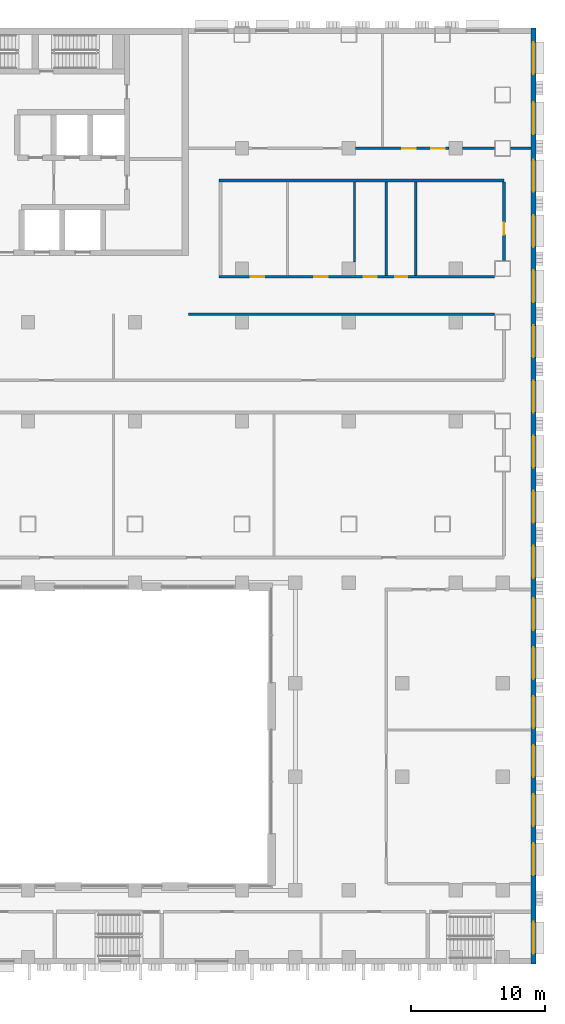
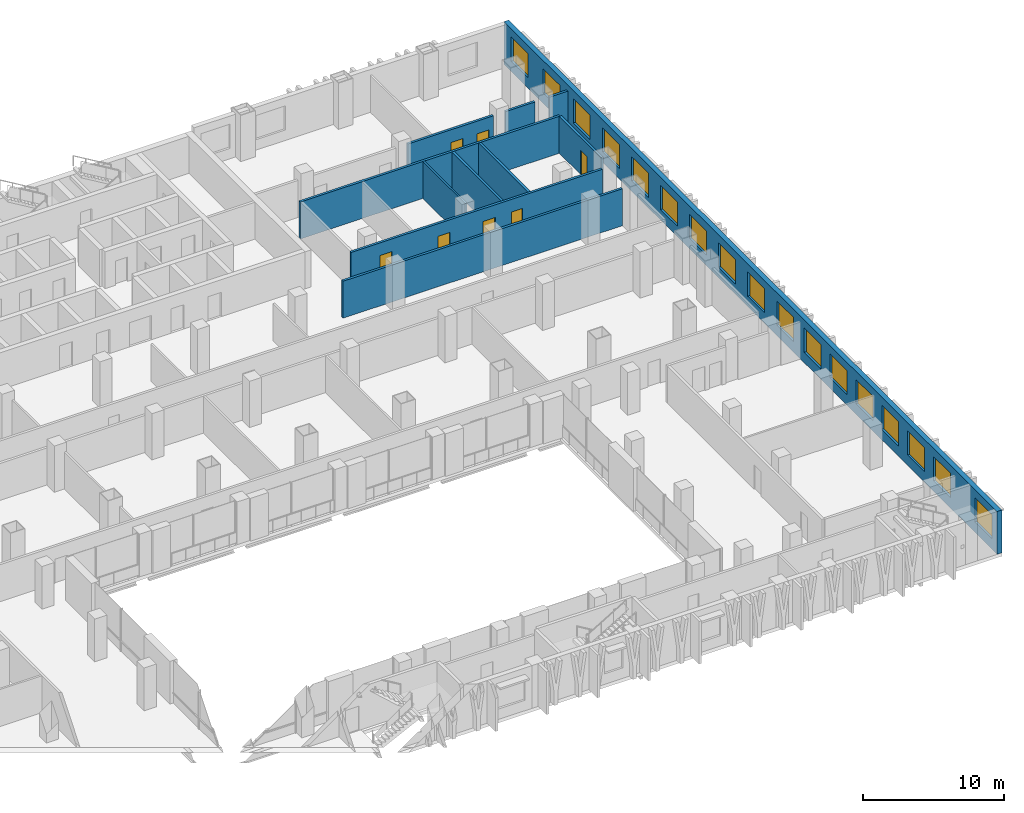
# One storey, part 14 of 24: 17 windows, 11 walls, 7 doors, 24 openings.
"""IFC4 building model written with IfcOpenShell, lengths in metres."""

from ifc_helpers import new_model, si_unit, direction, frame, frame_2d, origin, place, context, subcontext, project, spatial, rectangle, extrude, material, layer, layer_set, type_object, element, fill, save


model = new_model("IFC4")

# Units and contexts
model_context = context("Model", 3, precision=1e-05, world=origin(), true_north=direction((0.0, 1.0)))
body_context = subcontext(model_context, "Body", "Model", "MODEL_VIEW")
ifc_project = project(units=[si_unit("LENGTHUNIT", "METRE"), si_unit("AREAUNIT", "SQUARE_METRE"), si_unit("VOLUMEUNIT", "CUBIC_METRE"), si_unit("PLANEANGLEUNIT", "RADIAN"), si_unit("MASSUNIT", "GRAM", prefix="KILO")], contexts=[model_context])

# Site, building, storey
site_placement = place(None, origin())
site = spatial("IfcSite", under=ifc_project, at=site_placement, CompositionType="ELEMENT")
building_placement = place(site_placement, origin())
building = spatial("IfcBuilding", under=site, at=building_placement, Name="Vidyagriha Tower", CompositionType="ELEMENT")
storey_placement = place(building_placement, frame((0.0, 0.0, 22.0)))
storey = spatial("IfcBuildingStorey", under=building, at=storey_placement, Name="L05", CompositionType="ELEMENT", Elevation=22.0)

# Wall, openings, windows
ifc_material_1 = material(Name="Concrete C40/50 board-marked with brick facing", Category="concrete")
ifc_layer_1 = layer(ifc_material_1, 0.39990234375)
ifc_layer_set_1 = layer_set([ifc_layer_1], Name="Concrete C40/50 board-marked with brick facing")
wall_type_1 = type_object("IfcWallType", Name="Brick-faced board-marked concrete podium wall 400", PredefinedType="STANDARD", material=ifc_layer_set_1)
wall_1_placement = place(storey_placement, frame((39.800048828125, -50.0, 0.0), z_axis=(0.0, 0.0, 1.0), x_axis=(0.0, 1.0, 0.0)))
wall_1 = element("IfcWall", 1, at=wall_1_placement, inside=storey, type_object=wall_type_1, Name="Podium wall L05 R01", PredefinedType="STANDARD", context=body_context, shape_type="SweptSolid", body=[
    extrude(rectangle(XDim=70.0, YDim=0.39990234375, at=frame_2d((35.0, 0.0))), origin(), (0.0, 0.0, 1.0), 3.699951171875),
])
opening_1_placement = place(wall_1_placement, frame((0.75, 0.0, 0.89990234375)))
opening_1 = element("IfcOpeningElement", 2, at=opening_1_placement, cuts=wall_1, Name="Opening WN3", PredefinedType="OPENING", context=body_context, shape_type="SweptSolid", body=[
    extrude(rectangle(XDim=2.39990234375, YDim=2.10009765625, at=frame_2d((1.199951171875, 1.050048828125))), frame((0.0, 0.2099609375, 0.0), z_axis=(0.0, -1.0, 0.0), x_axis=(1.0, 0.0, 0.0)), (0.0, 0.0, 1.0), 0.419921875),
])
opening_2_placement = place(wall_1_placement, frame((6.63330078125, 0.0, 0.89990234375)))
opening_2 = element("IfcOpeningElement", 3, at=opening_2_placement, cuts=wall_1, Name="Opening WN3", PredefinedType="OPENING", context=body_context, shape_type="SweptSolid", body=[
    extrude(rectangle(XDim=2.39990234375, YDim=2.10009765625, at=frame_2d((1.199951171875, 1.050048828125))), frame((0.0, 0.2099609375, 0.0), z_axis=(0.0, -1.0, 0.0), x_axis=(1.0, 0.0, 0.0)), (0.0, 0.0, 1.0), 0.419921875),
])
opening_3_placement = place(wall_1_placement, frame((10.300048828125, 0.0, 0.89990234375)))
opening_3 = element("IfcOpeningElement", 4, at=opening_3_placement, cuts=wall_1, Name="Opening WN3", PredefinedType="OPENING", context=body_context, shape_type="SweptSolid", body=[
    extrude(rectangle(XDim=2.39990234375, YDim=2.10009765625, at=frame_2d((1.199951171875, 1.050048828125))), frame((0.0, 0.2099609375, 0.0), z_axis=(0.0, -1.0, 0.0), x_axis=(1.0, 0.0, 0.0)), (0.0, 0.0, 1.0), 0.419921875),
])
opening_4_placement = place(wall_1_placement, frame((13.966796875, 0.0, 0.89990234375)))
opening_4 = element("IfcOpeningElement", 5, at=opening_4_placement, cuts=wall_1, Name="Opening WN3", PredefinedType="OPENING", context=body_context, shape_type="SweptSolid", body=[
    extrude(rectangle(XDim=2.39990234375, YDim=2.10009765625, at=frame_2d((1.199951171875, 1.050048828125))), frame((0.0, 0.2099609375, 0.0), z_axis=(0.0, -1.0, 0.0), x_axis=(1.0, 0.0, 0.0)), (0.0, 0.0, 1.0), 0.419921875),
])
opening_5_placement = place(wall_1_placement, frame((17.63330078125, 0.0, 0.89990234375)))
opening_5 = element("IfcOpeningElement", 6, at=opening_5_placement, cuts=wall_1, Name="Opening WN3", PredefinedType="OPENING", context=body_context, shape_type="SweptSolid", body=[
    extrude(rectangle(XDim=2.39990234375, YDim=2.10009765625, at=frame_2d((1.199951171875, 1.050048828125))), frame((0.0, 0.2099609375, 0.0), z_axis=(0.0, -1.0, 0.0), x_axis=(1.0, 0.0, 0.0)), (0.0, 0.0, 1.0), 0.419921875),
])
opening_6_placement = place(wall_1_placement, frame((21.300048828125, 0.0, 0.89990234375)))
opening_6 = element("IfcOpeningElement", 7, at=opening_6_placement, cuts=wall_1, Name="Opening WN3", PredefinedType="OPENING", context=body_context, shape_type="SweptSolid", body=[
    extrude(rectangle(XDim=2.39990234375, YDim=2.10009765625, at=frame_2d((1.199951171875, 1.050048828125))), frame((0.0, 0.2099609375, 0.0), z_axis=(0.0, -1.0, 0.0), x_axis=(1.0, 0.0, 0.0)), (0.0, 0.0, 1.0), 0.419921875),
])
opening_7_placement = place(wall_1_placement, frame((24.966796875, 0.0, 0.89990234375)))
opening_7 = element("IfcOpeningElement", 8, at=opening_7_placement, cuts=wall_1, Name="Opening WN3", PredefinedType="OPENING", context=body_context, shape_type="SweptSolid", body=[
    extrude(rectangle(XDim=2.39990234375, YDim=2.10009765625, at=frame_2d((1.199951171875, 1.050048828125))), frame((0.0, 0.2099609375, 0.0), z_axis=(0.0, -1.0, 0.0), x_axis=(1.0, 0.0, 0.0)), (0.0, 0.0, 1.0), 0.419921875),
])
opening_8_placement = place(wall_1_placement, frame((28.862548828125, 0.0, 0.89990234375)))
opening_8 = element("IfcOpeningElement", 9, at=opening_8_placement, cuts=wall_1, Name="Opening WN3", PredefinedType="OPENING", context=body_context, shape_type="SweptSolid", body=[
    extrude(rectangle(XDim=2.39990234375, YDim=2.10009765625, at=frame_2d((1.199951171875, 1.050048828125))), frame((0.0, 0.2099609375, 0.0), z_axis=(0.0, -1.0, 0.0), x_axis=(1.0, 0.0, 0.0)), (0.0, 0.0, 1.0), 0.419921875),
])
opening_9_placement = place(wall_1_placement, frame((32.987548828125, 0.0, 0.89990234375)))
opening_9 = element("IfcOpeningElement", 10, at=opening_9_placement, cuts=wall_1, Name="Opening WN3", PredefinedType="OPENING", context=body_context, shape_type="SweptSolid", body=[
    extrude(rectangle(XDim=2.39990234375, YDim=2.10009765625, at=frame_2d((1.199951171875, 1.050048828125))), frame((0.0, 0.2099609375, 0.0), z_axis=(0.0, -1.0, 0.0), x_axis=(1.0, 0.0, 0.0)), (0.0, 0.0, 1.0), 0.419921875),
])
opening_10_placement = place(wall_1_placement, frame((37.112548828125, 0.0, 0.89990234375)))
opening_10 = element("IfcOpeningElement", 11, at=opening_10_placement, cuts=wall_1, Name="Opening WN3", PredefinedType="OPENING", context=body_context, shape_type="SweptSolid", body=[
    extrude(rectangle(XDim=2.39990234375, YDim=2.10009765625, at=frame_2d((1.199951171875, 1.050048828125))), frame((0.0, 0.2099609375, 0.0), z_axis=(0.0, -1.0, 0.0), x_axis=(1.0, 0.0, 0.0)), (0.0, 0.0, 1.0), 0.419921875),
])
opening_11_placement = place(wall_1_placement, frame((41.237548828125, 0.0, 0.89990234375)))
opening_11 = element("IfcOpeningElement", 12, at=opening_11_placement, cuts=wall_1, Name="Opening WN3", PredefinedType="OPENING", context=body_context, shape_type="SweptSolid", body=[
    extrude(rectangle(XDim=2.39990234375, YDim=2.10009765625, at=frame_2d((1.199951171875, 1.050048828125))), frame((0.0, 0.2099609375, 0.0), z_axis=(0.0, -1.0, 0.0), x_axis=(1.0, 0.0, 0.0)), (0.0, 0.0, 1.0), 0.419921875),
])
opening_12_placement = place(wall_1_placement, frame((45.362548828125, 0.0, 0.89990234375)))
opening_12 = element("IfcOpeningElement", 13, at=opening_12_placement, cuts=wall_1, Name="Opening WN3", PredefinedType="OPENING", context=body_context, shape_type="SweptSolid", body=[
    extrude(rectangle(XDim=2.39990234375, YDim=2.10009765625, at=frame_2d((1.199951171875, 1.050048828125))), frame((0.0, 0.2099609375, 0.0), z_axis=(0.0, -1.0, 0.0), x_axis=(1.0, 0.0, 0.0)), (0.0, 0.0, 1.0), 0.419921875),
])
opening_13_placement = place(wall_1_placement, frame((49.487548828125, 0.0, 0.89990234375)))
opening_13 = element("IfcOpeningElement", 14, at=opening_13_placement, cuts=wall_1, Name="Opening WN3", PredefinedType="OPENING", context=body_context, shape_type="SweptSolid", body=[
    extrude(rectangle(XDim=2.39990234375, YDim=2.10009765625, at=frame_2d((1.199951171875, 1.050048828125))), frame((0.0, 0.2099609375, 0.0), z_axis=(0.0, -1.0, 0.0), x_axis=(1.0, 0.0, 0.0)), (0.0, 0.0, 1.0), 0.419921875),
])
opening_14_placement = place(wall_1_placement, frame((53.612548828125, 0.0, 0.89990234375)))
opening_14 = element("IfcOpeningElement", 15, at=opening_14_placement, cuts=wall_1, Name="Opening WN3", PredefinedType="OPENING", context=body_context, shape_type="SweptSolid", body=[
    extrude(rectangle(XDim=2.39990234375, YDim=2.10009765625, at=frame_2d((1.199951171875, 1.050048828125))), frame((0.0, 0.2099609375, 0.0), z_axis=(0.0, -1.0, 0.0), x_axis=(1.0, 0.0, 0.0)), (0.0, 0.0, 1.0), 0.419921875),
])
opening_15_placement = place(wall_1_placement, frame((57.737548828125, 0.0, 0.89990234375)))
opening_15 = element("IfcOpeningElement", 16, at=opening_15_placement, cuts=wall_1, Name="Opening WN3", PredefinedType="OPENING", context=body_context, shape_type="SweptSolid", body=[
    extrude(rectangle(XDim=2.39990234375, YDim=2.10009765625, at=frame_2d((1.199951171875, 1.050048828125))), frame((0.0, 0.2099609375, 0.0), z_axis=(0.0, -1.0, 0.0), x_axis=(1.0, 0.0, 0.0)), (0.0, 0.0, 1.0), 0.419921875),
])
opening_16_placement = place(wall_1_placement, frame((62.050048828125, 0.0, 0.89990234375)))
opening_16 = element("IfcOpeningElement", 17, at=opening_16_placement, cuts=wall_1, Name="Opening WN3", PredefinedType="OPENING", context=body_context, shape_type="SweptSolid", body=[
    extrude(rectangle(XDim=2.39990234375, YDim=2.10009765625, at=frame_2d((1.199951171875, 1.050048828125))), frame((0.0, 0.2099609375, 0.0), z_axis=(0.0, -1.0, 0.0), x_axis=(1.0, 0.0, 0.0)), (0.0, 0.0, 1.0), 0.419921875),
])
opening_17_placement = place(wall_1_placement, frame((66.550048828125, 0.0, 0.89990234375)))
opening_17 = element("IfcOpeningElement", 18, at=opening_17_placement, cuts=wall_1, Name="Opening WN3", PredefinedType="OPENING", context=body_context, shape_type="SweptSolid", body=[
    extrude(rectangle(XDim=2.39990234375, YDim=2.10009765625, at=frame_2d((1.199951171875, 1.050048828125))), frame((0.0, 0.2099609375, 0.0), z_axis=(0.0, -1.0, 0.0), x_axis=(1.0, 0.0, 0.0)), (0.0, 0.0, 1.0), 0.419921875),
])
ifc_material_2 = material(Name="Aluminium and glass window", Category="aluminium")
window_type = type_object("IfcWindowType", Name="Podium school window 2400x2100", PartitioningType="NOTDEFINED", PredefinedType="WINDOW", material=ifc_material_2)
window_1_placement = place(opening_1_placement, origin())
window_1 = element("IfcWindow", 19, at=window_1_placement, inside=storey, type_object=window_type, Name="School window L05 R01.1", OverallHeight=2.10009765625, OverallWidth=2.39990234375, PartitioningType="SINGLE_PANEL", PredefinedType="WINDOW", context=body_context, shape_type="SweptSolid", body=[
    extrude(rectangle(XDim=2.39990234375, YDim=2.10009765625, at=frame_2d((1.199951171875, 1.050048828125))), frame((0.0, 0.030029296875, 0.0), z_axis=(0.0, -1.0, 0.0), x_axis=(1.0, 0.0, 0.0)), (0.0, 0.0, 1.0), 0.06005859375),
])
fill(opening_1, window_1)
window_2_placement = place(opening_2_placement, origin())
window_2 = element("IfcWindow", 20, at=window_2_placement, inside=storey, type_object=window_type, Name="School window L05 R01.3", OverallHeight=2.10009765625, OverallWidth=2.39990234375, PartitioningType="SINGLE_PANEL", PredefinedType="WINDOW", context=body_context, shape_type="SweptSolid", body=[
    extrude(rectangle(XDim=2.39990234375, YDim=2.10009765625, at=frame_2d((1.199951171875, 1.050048828125))), frame((0.0, 0.030029296875, 0.0), z_axis=(0.0, -1.0, 0.0), x_axis=(1.0, 0.0, 0.0)), (0.0, 0.0, 1.0), 0.06005859375),
])
fill(opening_2, window_2)
window_3_placement = place(opening_3_placement, origin())
window_3 = element("IfcWindow", 21, at=window_3_placement, inside=storey, type_object=window_type, Name="School window L05 R01.4", OverallHeight=2.10009765625, OverallWidth=2.39990234375, PartitioningType="SINGLE_PANEL", PredefinedType="WINDOW", context=body_context, shape_type="SweptSolid", body=[
    extrude(rectangle(XDim=2.39990234375, YDim=2.10009765625, at=frame_2d((1.199951171875, 1.050048828125))), frame((0.0, 0.030029296875, 0.0), z_axis=(0.0, -1.0, 0.0), x_axis=(1.0, 0.0, 0.0)), (0.0, 0.0, 1.0), 0.06005859375),
])
fill(opening_3, window_3)
window_4_placement = place(opening_4_placement, origin())
window_4 = element("IfcWindow", 22, at=window_4_placement, inside=storey, type_object=window_type, Name="School window L05 R01.5", OverallHeight=2.10009765625, OverallWidth=2.39990234375, PartitioningType="SINGLE_PANEL", PredefinedType="WINDOW", context=body_context, shape_type="SweptSolid", body=[
    extrude(rectangle(XDim=2.39990234375, YDim=2.10009765625, at=frame_2d((1.199951171875, 1.050048828125))), frame((0.0, 0.030029296875, 0.0), z_axis=(0.0, -1.0, 0.0), x_axis=(1.0, 0.0, 0.0)), (0.0, 0.0, 1.0), 0.06005859375),
])
fill(opening_4, window_4)
window_5_placement = place(opening_5_placement, origin())
window_5 = element("IfcWindow", 23, at=window_5_placement, inside=storey, type_object=window_type, Name="School window L05 R01.6", OverallHeight=2.10009765625, OverallWidth=2.39990234375, PartitioningType="SINGLE_PANEL", PredefinedType="WINDOW", context=body_context, shape_type="SweptSolid", body=[
    extrude(rectangle(XDim=2.39990234375, YDim=2.10009765625, at=frame_2d((1.199951171875, 1.050048828125))), frame((0.0, 0.030029296875, 0.0), z_axis=(0.0, -1.0, 0.0), x_axis=(1.0, 0.0, 0.0)), (0.0, 0.0, 1.0), 0.06005859375),
])
fill(opening_5, window_5)
window_6_placement = place(opening_6_placement, origin())
window_6 = element("IfcWindow", 24, at=window_6_placement, inside=storey, type_object=window_type, Name="School window L05 R01.7", OverallHeight=2.10009765625, OverallWidth=2.39990234375, PartitioningType="SINGLE_PANEL", PredefinedType="WINDOW", context=body_context, shape_type="SweptSolid", body=[
    extrude(rectangle(XDim=2.39990234375, YDim=2.10009765625, at=frame_2d((1.199951171875, 1.050048828125))), frame((0.0, 0.030029296875, 0.0), z_axis=(0.0, -1.0, 0.0), x_axis=(1.0, 0.0, 0.0)), (0.0, 0.0, 1.0), 0.06005859375),
])
fill(opening_6, window_6)
window_7_placement = place(opening_7_placement, origin())
window_7 = element("IfcWindow", 25, at=window_7_placement, inside=storey, type_object=window_type, Name="School window L05 R01.8", OverallHeight=2.10009765625, OverallWidth=2.39990234375, PartitioningType="SINGLE_PANEL", PredefinedType="WINDOW", context=body_context, shape_type="SweptSolid", body=[
    extrude(rectangle(XDim=2.39990234375, YDim=2.10009765625, at=frame_2d((1.199951171875, 1.050048828125))), frame((0.0, 0.030029296875, 0.0), z_axis=(0.0, -1.0, 0.0), x_axis=(1.0, 0.0, 0.0)), (0.0, 0.0, 1.0), 0.06005859375),
])
fill(opening_7, window_7)
window_8_placement = place(opening_8_placement, origin())
window_8 = element("IfcWindow", 26, at=window_8_placement, inside=storey, type_object=window_type, Name="School window L05 R01.9", OverallHeight=2.10009765625, OverallWidth=2.39990234375, PartitioningType="SINGLE_PANEL", PredefinedType="WINDOW", context=body_context, shape_type="SweptSolid", body=[
    extrude(rectangle(XDim=2.39990234375, YDim=2.10009765625, at=frame_2d((1.199951171875, 1.050048828125))), frame((0.0, 0.030029296875, 0.0), z_axis=(0.0, -1.0, 0.0), x_axis=(1.0, 0.0, 0.0)), (0.0, 0.0, 1.0), 0.06005859375),
])
fill(opening_8, window_8)
window_9_placement = place(opening_9_placement, origin())
window_9 = element("IfcWindow", 27, at=window_9_placement, inside=storey, type_object=window_type, Name="School window L05 R01.10", OverallHeight=2.10009765625, OverallWidth=2.39990234375, PartitioningType="SINGLE_PANEL", PredefinedType="WINDOW", context=body_context, shape_type="SweptSolid", body=[
    extrude(rectangle(XDim=2.39990234375, YDim=2.10009765625, at=frame_2d((1.199951171875, 1.050048828125))), frame((0.0, 0.030029296875, 0.0), z_axis=(0.0, -1.0, 0.0), x_axis=(1.0, 0.0, 0.0)), (0.0, 0.0, 1.0), 0.06005859375),
])
fill(opening_9, window_9)
window_10_placement = place(opening_10_placement, origin())
window_10 = element("IfcWindow", 28, at=window_10_placement, inside=storey, type_object=window_type, Name="School window L05 R01.11", OverallHeight=2.10009765625, OverallWidth=2.39990234375, PartitioningType="SINGLE_PANEL", PredefinedType="WINDOW", context=body_context, shape_type="SweptSolid", body=[
    extrude(rectangle(XDim=2.39990234375, YDim=2.10009765625, at=frame_2d((1.199951171875, 1.050048828125))), frame((0.0, 0.030029296875, 0.0), z_axis=(0.0, -1.0, 0.0), x_axis=(1.0, 0.0, 0.0)), (0.0, 0.0, 1.0), 0.06005859375),
])
fill(opening_10, window_10)
window_11_placement = place(opening_11_placement, origin())
window_11 = element("IfcWindow", 29, at=window_11_placement, inside=storey, type_object=window_type, Name="School window L05 R01.12", OverallHeight=2.10009765625, OverallWidth=2.39990234375, PartitioningType="SINGLE_PANEL", PredefinedType="WINDOW", context=body_context, shape_type="SweptSolid", body=[
    extrude(rectangle(XDim=2.39990234375, YDim=2.10009765625, at=frame_2d((1.199951171875, 1.050048828125))), frame((0.0, 0.030029296875, 0.0), z_axis=(0.0, -1.0, 0.0), x_axis=(1.0, 0.0, 0.0)), (0.0, 0.0, 1.0), 0.06005859375),
])
fill(opening_11, window_11)
window_12_placement = place(opening_12_placement, origin())
window_12 = element("IfcWindow", 30, at=window_12_placement, inside=storey, type_object=window_type, Name="School window L05 R01.13", OverallHeight=2.10009765625, OverallWidth=2.39990234375, PartitioningType="SINGLE_PANEL", PredefinedType="WINDOW", context=body_context, shape_type="SweptSolid", body=[
    extrude(rectangle(XDim=2.39990234375, YDim=2.10009765625, at=frame_2d((1.199951171875, 1.050048828125))), frame((0.0, 0.030029296875, 0.0), z_axis=(0.0, -1.0, 0.0), x_axis=(1.0, 0.0, 0.0)), (0.0, 0.0, 1.0), 0.06005859375),
])
fill(opening_12, window_12)
window_13_placement = place(opening_13_placement, origin())
window_13 = element("IfcWindow", 31, at=window_13_placement, inside=storey, type_object=window_type, Name="School window L05 R01.14", OverallHeight=2.10009765625, OverallWidth=2.39990234375, PartitioningType="SINGLE_PANEL", PredefinedType="WINDOW", context=body_context, shape_type="SweptSolid", body=[
    extrude(rectangle(XDim=2.39990234375, YDim=2.10009765625, at=frame_2d((1.199951171875, 1.050048828125))), frame((0.0, 0.030029296875, 0.0), z_axis=(0.0, -1.0, 0.0), x_axis=(1.0, 0.0, 0.0)), (0.0, 0.0, 1.0), 0.06005859375),
])
fill(opening_13, window_13)
window_14_placement = place(opening_14_placement, origin())
window_14 = element("IfcWindow", 32, at=window_14_placement, inside=storey, type_object=window_type, Name="School window L05 R01.15", OverallHeight=2.10009765625, OverallWidth=2.39990234375, PartitioningType="SINGLE_PANEL", PredefinedType="WINDOW", context=body_context, shape_type="SweptSolid", body=[
    extrude(rectangle(XDim=2.39990234375, YDim=2.10009765625, at=frame_2d((1.199951171875, 1.050048828125))), frame((0.0, 0.030029296875, 0.0), z_axis=(0.0, -1.0, 0.0), x_axis=(1.0, 0.0, 0.0)), (0.0, 0.0, 1.0), 0.06005859375),
])
fill(opening_14, window_14)
window_15_placement = place(opening_15_placement, origin())
window_15 = element("IfcWindow", 33, at=window_15_placement, inside=storey, type_object=window_type, Name="School window L05 R01.16", OverallHeight=2.10009765625, OverallWidth=2.39990234375, PartitioningType="SINGLE_PANEL", PredefinedType="WINDOW", context=body_context, shape_type="SweptSolid", body=[
    extrude(rectangle(XDim=2.39990234375, YDim=2.10009765625, at=frame_2d((1.199951171875, 1.050048828125))), frame((0.0, 0.030029296875, 0.0), z_axis=(0.0, -1.0, 0.0), x_axis=(1.0, 0.0, 0.0)), (0.0, 0.0, 1.0), 0.06005859375),
])
fill(opening_15, window_15)
window_16_placement = place(opening_16_placement, origin())
window_16 = element("IfcWindow", 34, at=window_16_placement, inside=storey, type_object=window_type, Name="School window L05 R01.17", OverallHeight=2.10009765625, OverallWidth=2.39990234375, PartitioningType="SINGLE_PANEL", PredefinedType="WINDOW", context=body_context, shape_type="SweptSolid", body=[
    extrude(rectangle(XDim=2.39990234375, YDim=2.10009765625, at=frame_2d((1.199951171875, 1.050048828125))), frame((0.0, 0.030029296875, 0.0), z_axis=(0.0, -1.0, 0.0), x_axis=(1.0, 0.0, 0.0)), (0.0, 0.0, 1.0), 0.06005859375),
])
fill(opening_16, window_16)
window_17_placement = place(opening_17_placement, origin())
window_17 = element("IfcWindow", 35, at=window_17_placement, inside=storey, type_object=window_type, Name="School window L05 R01.18", OverallHeight=2.10009765625, OverallWidth=2.39990234375, PartitioningType="SINGLE_PANEL", PredefinedType="WINDOW", context=body_context, shape_type="SweptSolid", body=[
    extrude(rectangle(XDim=2.39990234375, YDim=2.10009765625, at=frame_2d((1.199951171875, 1.050048828125))), frame((0.0, 0.030029296875, 0.0), z_axis=(0.0, -1.0, 0.0), x_axis=(1.0, 0.0, 0.0)), (0.0, 0.0, 1.0), 0.06005859375),
])
fill(opening_17, window_17)

# Wall
ifc_material_3 = material(Name="Fire rated gypsum board on light gauge framing")
ifc_layer_2 = layer(ifc_material_3, 0.199951171875)
ifc_layer_set_2 = layer_set([ifc_layer_2], Name="Fire rated gypsum board on light gauge framing")
wall_type_2 = type_object("IfcWallType", Name="Fire Rated Corridor Wall 200", PredefinedType="PARTITIONING", material=ifc_layer_set_2)
wall_2_placement = place(storey_placement, frame((14.0, -1.39990234375, 0.0)))
element("IfcWall", 36, at=wall_2_placement, inside=storey, type_object=wall_type_2, Name="L05 Fire Rated Corridor Wall 200 025", PredefinedType="PARTITIONING", context=body_context, shape_type="SweptSolid", body=[
    extrude(rectangle(XDim=22.89990234375, YDim=0.199951171875, at=frame_2d((11.449951171875, 0.0))), origin(), (0.0, 0.0, 1.0), 3.199951171875),
])

# Wall, openings, doors
wall_3_placement = place(storey_placement, frame((16.300048828125, 1.39990234375, 0.0)))
wall_3 = element("IfcWall", 37, at=wall_3_placement, inside=storey, type_object=wall_type_2, Name="L05 Fire Rated Corridor Wall 200 027", PredefinedType="PARTITIONING", context=body_context, shape_type="SweptSolid", body=[
    extrude(rectangle(XDim=20.599853515625, YDim=0.199951171875, at=frame_2d((10.2998046875, 0.0))), origin(), (0.0, 0.0, 1.0), 3.199951171875),
])
opening_18_placement = place(wall_3_placement, frame((2.349853515625, 0.0, 0.0)))
opening_18 = element("IfcOpeningElement", 38, at=opening_18_placement, cuts=wall_3, Name="Opening D05-44", PredefinedType="OPENING", context=body_context, shape_type="SweptSolid", body=[
    extrude(rectangle(XDim=1.0, YDim=2.10009765625, at=frame_2d((0.5, 1.050048828125))), frame((0.0, 0.10986328125, 0.0), z_axis=(0.0, -1.0, 0.0), x_axis=(1.0, 0.0, 0.0)), (0.0, 0.0, 1.0), 0.219970703125),
])
opening_19_placement = place(wall_3_placement, frame((7.099853515625, 0.0, 0.0)))
opening_19 = element("IfcOpeningElement", 39, at=opening_19_placement, cuts=wall_3, Name="Opening D05-45", PredefinedType="OPENING", context=body_context, shape_type="SweptSolid", body=[
    extrude(rectangle(XDim=1.0, YDim=2.10009765625, at=frame_2d((0.5, 1.050048828125))), frame((0.0, 0.10986328125, 0.0), z_axis=(0.0, -1.0, 0.0), x_axis=(1.0, 0.0, 0.0)), (0.0, 0.0, 1.0), 0.219970703125),
])
opening_20_placement = place(wall_3_placement, frame((10.7998046875, 0.0, 0.0)))
opening_20 = element("IfcOpeningElement", 40, at=opening_20_placement, cuts=wall_3, Name="Opening D05-46", PredefinedType="OPENING", context=body_context, shape_type="SweptSolid", body=[
    extrude(rectangle(XDim=1.0, YDim=2.10009765625, at=frame_2d((0.5, 1.050048828125))), frame((0.0, 0.10986328125, 0.0), z_axis=(0.0, -1.0, 0.0), x_axis=(1.0, 0.0, 0.0)), (0.0, 0.0, 1.0), 0.219970703125),
])
opening_21_placement = place(wall_3_placement, frame((13.14990234375, 0.0, 0.0)))
opening_21 = element("IfcOpeningElement", 41, at=opening_21_placement, cuts=wall_3, Name="Opening D05-47", PredefinedType="OPENING", context=body_context, shape_type="SweptSolid", body=[
    extrude(rectangle(XDim=0.89990234375, YDim=2.10009765625, at=frame_2d((0.449951171875, 1.050048828125))), frame((0.0, 0.10986328125, 0.0), z_axis=(0.0, -1.0, 0.0), x_axis=(1.0, 0.0, 0.0)), (0.0, 0.0, 1.0), 0.219970703125),
])
ifc_material_4 = material(Name="Steel fire door set", Category="steel")
door_type_1 = type_object("IfcDoorType", Name="Podium Door 1000x2100 EI 30", OperationType="NOTDEFINED", PredefinedType="DOOR", material=ifc_material_4)
door_1_placement = place(opening_18_placement, origin())
door_1 = element("IfcDoor", 42, at=door_1_placement, inside=storey, type_object=door_type_1, Name="L05 door D05-44", OperationType="SINGLE_SWING_LEFT", OverallHeight=2.10009765625, OverallWidth=1.0, PredefinedType="DOOR", context=body_context, shape_type="SweptSolid", body=[
    extrude(rectangle(XDim=1.0, YDim=2.10009765625, at=frame_2d((0.5, 1.050048828125))), frame((0.0, 0.02490234375, 0.0), z_axis=(0.0, -1.0, 0.0), x_axis=(1.0, 0.0, 0.0)), (0.0, 0.0, 1.0), 0.050048828125),
])
fill(opening_18, door_1)
door_2_placement = place(opening_19_placement, origin())
door_2 = element("IfcDoor", 43, at=door_2_placement, inside=storey, type_object=door_type_1, Name="L05 door D05-45", OperationType="SINGLE_SWING_LEFT", OverallHeight=2.10009765625, OverallWidth=1.0, PredefinedType="DOOR", context=body_context, shape_type="SweptSolid", body=[
    extrude(rectangle(XDim=1.0, YDim=2.10009765625, at=frame_2d((0.5, 1.050048828125))), frame((0.0, 0.02490234375, 0.0), z_axis=(0.0, -1.0, 0.0), x_axis=(1.0, 0.0, 0.0)), (0.0, 0.0, 1.0), 0.050048828125),
])
fill(opening_19, door_2)
door_3_placement = place(opening_20_placement, origin())
door_3 = element("IfcDoor", 44, at=door_3_placement, inside=storey, type_object=door_type_1, Name="L05 door D05-46", OperationType="SINGLE_SWING_RIGHT", OverallHeight=2.10009765625, OverallWidth=1.0, PredefinedType="DOOR", context=body_context, shape_type="SweptSolid", body=[
    extrude(rectangle(XDim=1.0, YDim=2.10009765625, at=frame_2d((0.5, 1.050048828125))), frame((0.0, 0.02490234375, 0.0), z_axis=(0.0, -1.0, 0.0), x_axis=(1.0, 0.0, 0.0)), (0.0, 0.0, 1.0), 0.050048828125),
])
fill(opening_20, door_3)
ifc_material_5 = material(Name="Steel fire door set", Category="steel")
door_type_2 = type_object("IfcDoorType", Name="Podium Door 900x2100 EI 30", OperationType="NOTDEFINED", PredefinedType="DOOR", material=ifc_material_5)
door_4_placement = place(opening_21_placement, origin())
door_4 = element("IfcDoor", 45, at=door_4_placement, inside=storey, type_object=door_type_2, Name="L05 door D05-47", OperationType="SINGLE_SWING_RIGHT", OverallHeight=2.10009765625, OverallWidth=0.89990234375, PredefinedType="DOOR", context=body_context, shape_type="SweptSolid", body=[
    extrude(rectangle(XDim=0.89990234375, YDim=2.10009765625, at=frame_2d((0.449951171875, 1.050048828125))), frame((0.0, 0.02490234375, 0.0), z_axis=(0.0, -1.0, 0.0), x_axis=(1.0, 0.0, 0.0)), (0.0, 0.0, 1.0), 0.050048828125),
])
fill(opening_21, door_4)

# Wall
wall_4_placement = place(storey_placement, frame((16.300048828125, 8.60009765625, 0.0)))
element("IfcWall", 46, at=wall_4_placement, inside=storey, type_object=wall_type_2, Name="L05 Fire Rated Corridor Wall 200 029", PredefinedType="PARTITIONING", context=body_context, shape_type="SweptSolid", body=[
    extrude(rectangle(XDim=21.2998046875, YDim=0.199951171875, at=frame_2d((10.64990234375, 0.0))), origin(), (0.0, 0.0, 1.0), 3.199951171875),
])

# Wall, openings, doors
wall_5_placement = place(storey_placement, frame((26.5, 11.0, 0.0)))
wall_5 = element("IfcWall", 47, at=wall_5_placement, inside=storey, type_object=wall_type_2, Name="L05 Fire Rated Corridor Wall 200 036", PredefinedType="PARTITIONING", context=body_context, shape_type="SweptSolid", body=[
    extrude(rectangle(XDim=7.0, YDim=0.199951171875, at=frame_2d((3.5, 0.0))), origin(), (0.0, 0.0, 1.0), 3.199951171875),
])
opening_22_placement = place(wall_5_placement, frame((3.501953125, 0.0, 0.0)))
opening_22 = element("IfcOpeningElement", 48, at=opening_22_placement, cuts=wall_5, Name="Opening D05-55", PredefinedType="OPENING", context=body_context, shape_type="SweptSolid", body=[
    extrude(rectangle(XDim=1.0, YDim=2.10009765625, at=frame_2d((0.5, 1.050048828125))), frame((0.0, 0.10986328125, 0.0), z_axis=(0.0, -1.0, 0.0), x_axis=(1.0, 0.0, 0.0)), (0.0, 0.0, 1.0), 0.219970703125),
])
opening_23_placement = place(wall_5_placement, frame((5.64990234375, 0.0, 0.0)))
opening_23 = element("IfcOpeningElement", 49, at=opening_23_placement, cuts=wall_5, Name="Opening D05-56", PredefinedType="OPENING", context=body_context, shape_type="SweptSolid", body=[
    extrude(rectangle(XDim=1.0, YDim=2.10009765625, at=frame_2d((0.5, 1.050048828125))), frame((0.0, 0.10986328125, 0.0), z_axis=(0.0, -1.0, 0.0), x_axis=(1.0, 0.0, 0.0)), (0.0, 0.0, 1.0), 0.219970703125),
])
door_5_placement = place(opening_22_placement, origin())
door_5 = element("IfcDoor", 50, at=door_5_placement, inside=storey, type_object=door_type_1, Name="L05 door D05-55", OperationType="SINGLE_SWING_RIGHT", OverallHeight=2.10009765625, OverallWidth=1.0, PredefinedType="DOOR", context=body_context, shape_type="SweptSolid", body=[
    extrude(rectangle(XDim=1.0, YDim=2.10009765625, at=frame_2d((0.5, 1.050048828125))), frame((0.0, 0.02490234375, 0.0), z_axis=(0.0, -1.0, 0.0), x_axis=(1.0, 0.0, 0.0)), (0.0, 0.0, 1.0), 0.050048828125),
])
fill(opening_22, door_5)
door_6_placement = place(opening_23_placement, origin())
door_6 = element("IfcDoor", 51, at=door_6_placement, inside=storey, type_object=door_type_1, Name="L05 door D05-56", OperationType="SINGLE_SWING_RIGHT", OverallHeight=2.10009765625, OverallWidth=1.0, PredefinedType="DOOR", context=body_context, shape_type="SweptSolid", body=[
    extrude(rectangle(XDim=1.0, YDim=2.10009765625, at=frame_2d((0.5, 1.050048828125))), frame((0.0, 0.02490234375, 0.0), z_axis=(0.0, -1.0, 0.0), x_axis=(1.0, 0.0, 0.0)), (0.0, 0.0, 1.0), 0.050048828125),
])
fill(opening_23, door_6)

# Walls
wall_6_placement = place(storey_placement, frame((34.5, 11.0, 0.0)))
element("IfcWall", 52, at=wall_6_placement, inside=storey, type_object=wall_type_2, Name="L05 Fire Rated Corridor Wall 200 037", PredefinedType="PARTITIONING", context=body_context, shape_type="SweptSolid", body=[
    extrude(rectangle(XDim=2.39990234375, YDim=0.199951171875, at=frame_2d((1.199951171875, 0.0))), origin(), (0.0, 0.0, 1.0), 3.199951171875),
])
wall_7_placement = place(storey_placement, frame((38.10009765625, 11.0, 0.0)))
element("IfcWall", 53, at=wall_7_placement, inside=storey, type_object=wall_type_2, Name="L05 Fire Rated Corridor Wall 200 038", PredefinedType="PARTITIONING", context=body_context, shape_type="SweptSolid", body=[
    extrude(rectangle(XDim=1.5, YDim=0.199951171875, at=frame_2d((0.75, 0.0))), origin(), (0.0, 0.0, 1.0), 3.199951171875),
])
for number, where, z_axis, x_axis, name in (
    (54, (28.800048828125, 1.5, 0.0), (0.0, 0.0, 1.0), (0.0, 1.0, 0.0), "L05 Fire Rated Corridor Wall 200 072"),
    (55, (31.0, 1.5, 0.0), (0.0, 0.0, 1.0), (0.0, 1.0, 0.0), "L05 Fire Rated Corridor Wall 200 073"),
):
    element("IfcWall", number, at=place(storey_placement, frame(where, z_axis=z_axis, x_axis=x_axis)), inside=storey, type_object=wall_type_2, Name=name, PredefinedType="PARTITIONING", context=body_context, shape_type="SweptSolid", body=[
        extrude(rectangle(XDim=7.0, YDim=0.199951171875, at=frame_2d((3.5, 0.0))), origin(), (0.0, 0.0, 1.0), 3.199951171875),
    ])

# Wall, opening, door
wall_8_placement = place(storey_placement, frame((37.60009765625, 2.60009765625, 0.0), z_axis=(0.0, 0.0, 1.0), x_axis=(0.0, 1.0, 0.0)))
wall_8 = element("IfcWall", 56, at=wall_8_placement, inside=storey, type_object=wall_type_2, Name="L05 Fire Rated Corridor Wall 200 078", PredefinedType="PARTITIONING", context=body_context, shape_type="SweptSolid", body=[
    extrude(rectangle(XDim=5.89990234375, YDim=0.199951171875, at=frame_2d((2.949951171875, 0.0))), origin(), (0.0, 0.0, 1.0), 3.199951171875),
])
opening_24_placement = place(wall_8_placement, frame((1.949951171875, 0.0, 0.0)))
opening_24 = element("IfcOpeningElement", 57, at=opening_24_placement, cuts=wall_8, Name="Opening D05-48", PredefinedType="OPENING", context=body_context, shape_type="SweptSolid", body=[
    extrude(rectangle(XDim=0.89990234375, YDim=2.10009765625, at=frame_2d((0.449951171875, 1.050048828125))), frame((0.0, 0.10986328125, 0.0), z_axis=(0.0, -1.0, 0.0), x_axis=(1.0, 0.0, 0.0)), (0.0, 0.0, 1.0), 0.219970703125),
])
ifc_material_6 = material(Name="Steel fire door set", Category="steel")
door_type_3 = type_object("IfcDoorType", Name="Podium Door 900x2100 EI 60", OperationType="NOTDEFINED", PredefinedType="DOOR", material=ifc_material_6)
door_7_placement = place(opening_24_placement, origin())
door_7 = element("IfcDoor", 58, at=door_7_placement, inside=storey, type_object=door_type_3, Name="L05 door D05-48", OperationType="SINGLE_SWING_LEFT", OverallHeight=2.10009765625, OverallWidth=0.89990234375, PredefinedType="DOOR", context=body_context, shape_type="SweptSolid", body=[
    extrude(rectangle(XDim=0.89990234375, YDim=2.10009765625, at=frame_2d((0.449951171875, 1.050048828125))), frame((0.0, 0.02490234375, 0.0), z_axis=(0.0, -1.0, 0.0), x_axis=(1.0, 0.0, 0.0)), (0.0, 0.0, 1.0), 0.050048828125),
])
fill(opening_24, door_7)

# Wall
ifc_material_7 = material(Name="Gypsum board on light gauge framing")
ifc_layer_3 = layer(ifc_material_7, 0.14990234375)
ifc_layer_set_3 = layer_set([ifc_layer_3], Name="Gypsum board on light gauge framing")
wall_type_3 = type_object("IfcWallType", Name="Gypsum Board Partition 150", PredefinedType="PARTITIONING", material=ifc_layer_set_3)
wall_9_placement = place(storey_placement, frame((26.39990234375, 2.5, 0.0), z_axis=(0.0, 0.0, 1.0), x_axis=(0.0, 1.0, 0.0)))
element("IfcWall", 59, at=wall_9_placement, inside=storey, type_object=wall_type_3, Name="L05 Gypsum Board Partition 150 069", PredefinedType="PARTITIONING", context=body_context, shape_type="SweptSolid", body=[
    extrude(rectangle(XDim=6.0, YDim=0.14990234375, at=frame_2d((3.0, 0.0))), origin(), (0.0, 0.0, 1.0), 3.199951171875),
])

save(model, "model.ifc")
